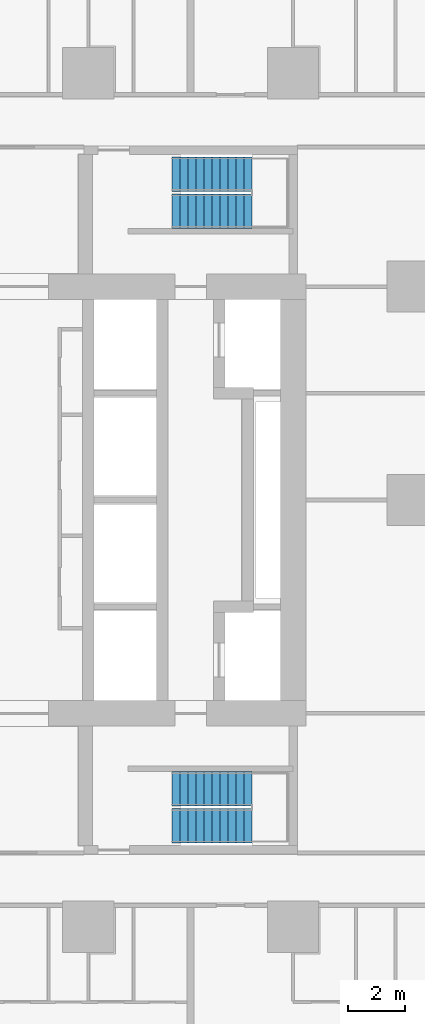
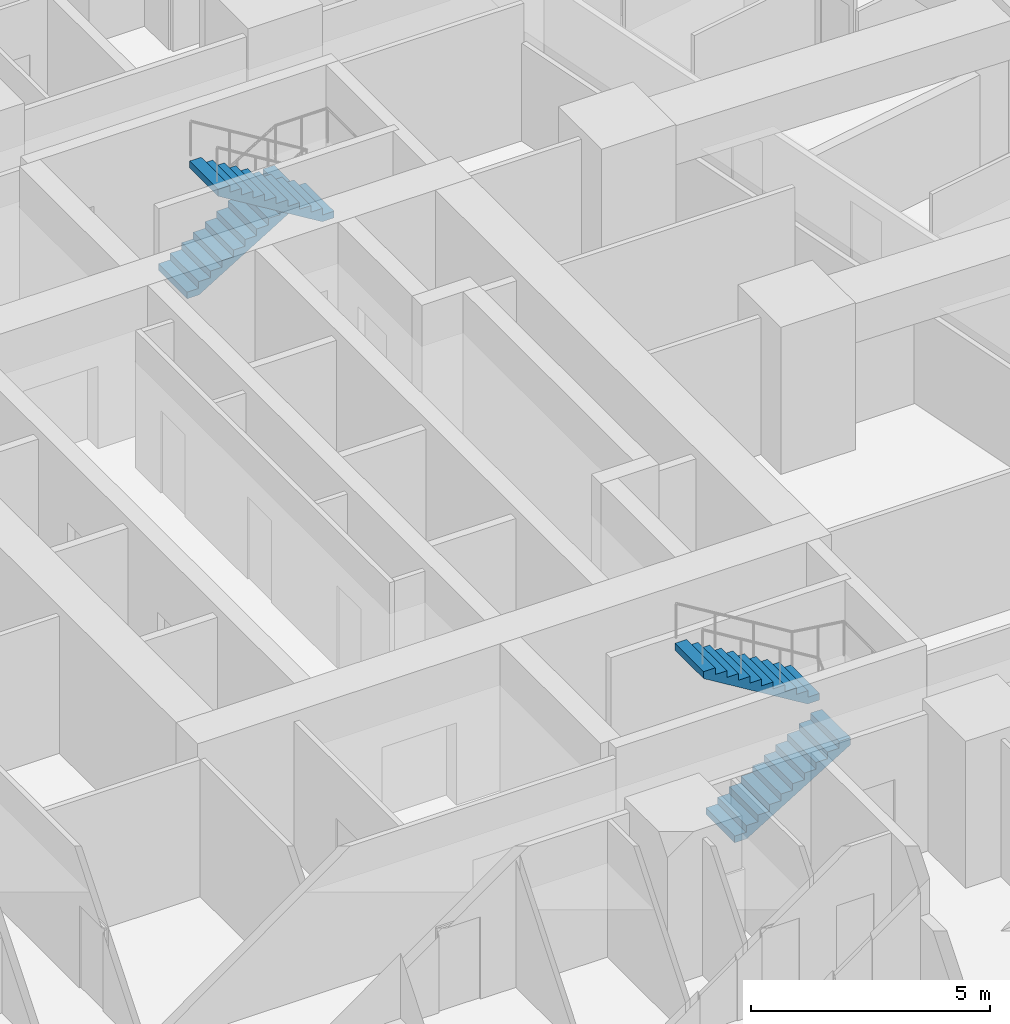
# One storey, part 15 of 18: 4 stair flights, 2 elements without a shape of their own.
"""IFC4 building model written with IfcOpenShell, lengths in metres."""

from ifc_helpers import new_model, si_unit, direction, frame, origin, place, context, subcontext, project, spatial, triangles, material, type_object, element, aggregate, save


model = new_model("IFC4")

# Units and contexts
model_context = context("Model", 3, precision=1e-05, world=origin(), true_north=direction((0.0, 1.0)))
body_context = subcontext(model_context, "Body", "Model", "MODEL_VIEW")
ifc_project = project(units=[si_unit("LENGTHUNIT", "METRE"), si_unit("AREAUNIT", "SQUARE_METRE"), si_unit("VOLUMEUNIT", "CUBIC_METRE"), si_unit("PLANEANGLEUNIT", "RADIAN"), si_unit("MASSUNIT", "GRAM", prefix="KILO")], contexts=[model_context])

# Site, building, storey
site_placement = place(None, origin())
site = spatial("IfcSite", under=ifc_project, at=site_placement, CompositionType="ELEMENT")
building_placement = place(site_placement, origin())
building = spatial("IfcBuilding", under=site, at=building_placement, Name="Sheger Commons Tower", CompositionType="ELEMENT")
storey_placement = place(building_placement, frame((0.0, 0.0, 38.75)))
storey = spatial("IfcBuildingStorey", under=building, at=storey_placement, Name="L09", CompositionType="ELEMENT", Elevation=38.75)

# Stair, stair flights
ifc_material_1 = material(Name="Concrete C35/45", Category="concrete")
stair_type = type_object("IfcStairType", Name="HALF-TURN STAIR 1200 RISE 3750", PredefinedType="HALF_TURN_STAIR", material=ifc_material_1)
stair_1_placement = place(storey_placement, origin())
stair_1 = element("IfcStair", 1, at=stair_1_placement, inside=storey, type_object=stair_type, Name="Stair S1 L09", PredefinedType="HALF_TURN_STAIR")
ifc_material_2 = material(Name="Concrete C35/45", Category="concrete")
stair_flight_type = type_object("IfcStairFlightType", Name="STAIR FLIGHT 1200 11 RISERS OF 170", PredefinedType="STRAIGHT", material=ifc_material_2)
stair_flight_1_placement = place(storey_placement, frame((24.550048828125, 11.050048828125, 0.0), z_axis=(0.0, 0.0, 1.0), x_axis=(1.0, 0.0, 0.0)))
stair_flight_1 = element("IfcStairFlight", 2, at=stair_flight_1_placement, type_object=stair_flight_type, Name="S1 flight 1", NumberOfRisers=11, NumberOfTreads=10, PredefinedType="STRAIGHT", RiserHeight=0.170454545, TreadLength=0.28, context=body_context, shape_type="Tessellation", body=[
    triangles([(0.0, 0.5999755859375, 0.0), (0.0, 0.5999755859375, 0.17041015625), (0.280029296875, 0.5999755859375, 0.17041015625), (0.280029296875, 0.5999755859375, 0.3408203125), (0.56005859375, 0.5999755859375, 0.3408203125), (0.56005859375, 0.5999755859375, 0.511474609375), (0.840087890625, 0.5999755859375, 0.511474609375), (0.840087890625, 0.5999755859375, 0.681884765625), (1.1201171875, 0.5999755859375, 0.681884765625), (1.1201171875, 0.5999755859375, 0.852294921875), (1.39990234375, 0.5999755859375, 0.852294921875), (1.39990234375, 0.5999755859375, 1.022705078125), (1.679931640625, 0.5999755859375, 1.022705078125), (1.679931640625, 0.5999755859375, 1.193115234375), (1.9599609375, 0.5999755859375, 1.193115234375), (1.9599609375, 0.5999755859375, 1.363525390625), (2.239990234375, 0.5999755859375, 1.363525390625), (2.239990234375, 0.5999755859375, 1.5341796875), (2.52001953125, 0.5999755859375, 1.5341796875), (2.52001953125, 0.5999755859375, 1.70458984375), (2.800048828125, 0.5999755859375, 1.70458984375), (2.800048828125, 0.5999755859375, 1.529052734375), (0.288330078125, 0.5999755859375, 0.0), (0.0, -0.5999755859375, 0.0), (0.0, -0.5999755859375, 0.17041015625), (0.280029296875, -0.5999755859375, 0.17041015625), (0.280029296875, -0.5999755859375, 0.3408203125), (0.56005859375, -0.5999755859375, 0.3408203125), (0.56005859375, -0.5999755859375, 0.511474609375), (0.840087890625, -0.5999755859375, 0.511474609375), (0.840087890625, -0.5999755859375, 0.681884765625), (1.1201171875, -0.5999755859375, 0.681884765625), (1.1201171875, -0.5999755859375, 0.852294921875), (1.39990234375, -0.5999755859375, 0.852294921875), (1.39990234375, -0.5999755859375, 1.022705078125), (1.679931640625, -0.5999755859375, 1.022705078125), (1.679931640625, -0.5999755859375, 1.193115234375), (1.9599609375, -0.5999755859375, 1.193115234375), (1.9599609375, -0.5999755859375, 1.363525390625), (2.239990234375, -0.5999755859375, 1.363525390625), (2.239990234375, -0.5999755859375, 1.5341796875), (2.52001953125, -0.5999755859375, 1.5341796875), (2.52001953125, -0.5999755859375, 1.70458984375), (2.800048828125, -0.5999755859375, 1.70458984375), (2.800048828125, -0.5999755859375, 1.529052734375), (0.288330078125, -0.5999755859375, 0.0), (0.0, 0.0, 0.085205078125), (0.1400146484375, 0.0, 0.17041015625), (0.280029296875, 0.0, 0.255615234375), (0.4200439453125, 0.0, 0.3408203125), (0.56005859375, 0.0, 0.4261474609375), (0.7000732421875, 0.0, 0.511474609375), (0.840087890625, 0.0, 0.5966796875), (0.9801025390625, 0.0, 0.681884765625), (1.1201171875, 0.0, 0.76708984375), (1.260009765625, 0.0, 0.852294921875), (1.39990234375, 0.0, 0.9375), (1.5399169921875, 0.0, 1.022705078125), (1.679931640625, 0.0, 1.10791015625), (1.8199462890625, 0.0, 1.193115234375), (1.9599609375, 0.0, 1.2783203125), (2.0999755859375, 0.0, 1.363525390625), (2.239990234375, 0.0, 1.4488525390625), (2.3800048828125, 0.0, 1.5341796875), (2.52001953125, 0.0, 1.619384765625), (2.6600341796875, 0.0, 1.70458984375), (2.800048828125, 0.0, 1.6168212890625), (1.544189453125, 0.0, 0.7645263671875), (0.1441650390625, 0.0, 0.0)], [[1, 22, 23], [24, 46, 45], [22, 20, 21], [45, 44, 43], [22, 19, 20], [45, 43, 42], [22, 18, 19], [45, 42, 41], [22, 17, 18], [45, 41, 40], [17, 15, 16], [40, 39, 38], [22, 15, 17], [45, 40, 38], [15, 13, 14], [38, 37, 36], [22, 13, 15], [45, 38, 36], [13, 11, 12], [36, 35, 34], [22, 11, 13], [45, 36, 34], [11, 9, 10], [34, 33, 32], [22, 9, 11], [45, 34, 32], [9, 7, 8], [32, 31, 30], [22, 7, 9], [45, 32, 30], [7, 5, 6], [30, 29, 28], [22, 5, 7], [45, 30, 28], [5, 3, 4], [28, 27, 26], [22, 3, 5], [45, 28, 26], [1, 3, 22], [24, 45, 26], [3, 1, 2], [26, 25, 24], [1, 47, 2], [2, 47, 25], [25, 47, 24], [24, 47, 1], [2, 48, 3], [3, 48, 26], [26, 48, 25], [25, 48, 2], [3, 49, 4], [4, 49, 27], [27, 49, 26], [26, 49, 3], [4, 50, 5], [5, 50, 28], [28, 50, 27], [27, 50, 4], [5, 51, 6], [6, 51, 29], [29, 51, 28], [28, 51, 5], [6, 52, 7], [7, 52, 30], [30, 52, 29], [29, 52, 6], [7, 53, 8], [8, 53, 31], [31, 53, 30], [30, 53, 7], [8, 54, 9], [9, 54, 32], [32, 54, 31], [31, 54, 8], [9, 55, 10], [10, 55, 33], [33, 55, 32], [32, 55, 9], [10, 56, 11], [11, 56, 34], [34, 56, 33], [33, 56, 10], [11, 57, 12], [12, 57, 35], [35, 57, 34], [34, 57, 11], [12, 58, 13], [13, 58, 36], [36, 58, 35], [35, 58, 12], [13, 59, 14], [14, 59, 37], [37, 59, 36], [36, 59, 13], [14, 60, 15], [15, 60, 38], [38, 60, 37], [37, 60, 14], [15, 61, 16], [16, 61, 39], [39, 61, 38], [38, 61, 15], [16, 62, 17], [17, 62, 40], [40, 62, 39], [39, 62, 16], [17, 63, 18], [18, 63, 41], [41, 63, 40], [40, 63, 17], [18, 64, 19], [19, 64, 42], [42, 64, 41], [41, 64, 18], [19, 65, 20], [20, 65, 43], [43, 65, 42], [42, 65, 19], [20, 66, 21], [21, 66, 44], [44, 66, 43], [43, 66, 20], [21, 67, 22], [22, 67, 45], [45, 67, 44], [44, 67, 21], [22, 68, 23], [23, 68, 46], [46, 68, 45], [45, 68, 22], [23, 69, 1], [1, 69, 24], [24, 69, 46], [46, 69, 23]], closed=True),
])
stair_flight_2_placement = place(storey_placement, frame((27.35009765625, 12.35009765625, 1.875), z_axis=(0.0, 0.0, 1.0), x_axis=(-1.0, 0.0, 0.0)))
stair_flight_2 = element("IfcStairFlight", 3, at=stair_flight_2_placement, type_object=stair_flight_type, Name="S1 flight 2", NumberOfRisers=11, NumberOfTreads=10, PredefinedType="STRAIGHT", RiserHeight=0.170454545, TreadLength=0.28, context=body_context, shape_type="Tessellation", body=[
    triangles([(0.0, 0.5999755859375, 0.0), (0.0, 0.5999755859375, 0.17041015625), (0.280029296875, 0.5999755859375, 0.17041015625), (0.280029296875, 0.5999755859375, 0.3408203125), (0.56005859375, 0.5999755859375, 0.3408203125), (0.56005859375, 0.5999755859375, 0.511474609375), (0.840087890625, 0.5999755859375, 0.511474609375), (0.840087890625, 0.5999755859375, 0.681884765625), (1.1201171875, 0.5999755859375, 0.681884765625), (1.1201171875, 0.5999755859375, 0.852294921875), (1.39990234375, 0.5999755859375, 0.852294921875), (1.39990234375, 0.5999755859375, 1.022705078125), (1.679931640625, 0.5999755859375, 1.022705078125), (1.679931640625, 0.5999755859375, 1.193115234375), (1.9599609375, 0.5999755859375, 1.193115234375), (1.9599609375, 0.5999755859375, 1.363525390625), (2.239990234375, 0.5999755859375, 1.363525390625), (2.239990234375, 0.5999755859375, 1.5341796875), (2.52001953125, 0.5999755859375, 1.5341796875), (2.52001953125, 0.5999755859375, 1.70458984375), (2.800048828125, 0.5999755859375, 1.70458984375), (2.800048828125, 0.5999755859375, 1.529052734375), (0.288330078125, 0.5999755859375, 0.0), (0.0, -0.5999755859375, 0.0), (0.0, -0.5999755859375, 0.17041015625), (0.280029296875, -0.5999755859375, 0.17041015625), (0.280029296875, -0.5999755859375, 0.3408203125), (0.56005859375, -0.5999755859375, 0.3408203125), (0.56005859375, -0.5999755859375, 0.511474609375), (0.840087890625, -0.5999755859375, 0.511474609375), (0.840087890625, -0.5999755859375, 0.681884765625), (1.1201171875, -0.5999755859375, 0.681884765625), (1.1201171875, -0.5999755859375, 0.852294921875), (1.39990234375, -0.5999755859375, 0.852294921875), (1.39990234375, -0.5999755859375, 1.022705078125), (1.679931640625, -0.5999755859375, 1.022705078125), (1.679931640625, -0.5999755859375, 1.193115234375), (1.9599609375, -0.5999755859375, 1.193115234375), (1.9599609375, -0.5999755859375, 1.363525390625), (2.239990234375, -0.5999755859375, 1.363525390625), (2.239990234375, -0.5999755859375, 1.5341796875), (2.52001953125, -0.5999755859375, 1.5341796875), (2.52001953125, -0.5999755859375, 1.70458984375), (2.800048828125, -0.5999755859375, 1.70458984375), (2.800048828125, -0.5999755859375, 1.529052734375), (0.288330078125, -0.5999755859375, 0.0), (0.0, 0.0, 0.085205078125), (0.1400146484375, 0.0, 0.17041015625), (0.280029296875, 0.0, 0.255615234375), (0.4200439453125, 0.0, 0.3408203125), (0.56005859375, 0.0, 0.4261474609375), (0.7000732421875, 0.0, 0.511474609375), (0.840087890625, 0.0, 0.5966796875), (0.9801025390625, 0.0, 0.681884765625), (1.1201171875, 0.0, 0.76708984375), (1.260009765625, 0.0, 0.852294921875), (1.39990234375, 0.0, 0.9375), (1.5399169921875, 0.0, 1.022705078125), (1.679931640625, 0.0, 1.10791015625), (1.8199462890625, 0.0, 1.193115234375), (1.9599609375, 0.0, 1.2783203125), (2.0999755859375, 0.0, 1.363525390625), (2.239990234375, 0.0, 1.4488525390625), (2.3800048828125, 0.0, 1.5341796875), (2.52001953125, 0.0, 1.619384765625), (2.6600341796875, 0.0, 1.70458984375), (2.800048828125, 0.0, 1.6168212890625), (1.544189453125, 0.0, 0.7645263671875), (0.1441650390625, 0.0, 0.0)], [[1, 22, 23], [24, 46, 45], [22, 20, 21], [45, 44, 43], [22, 19, 20], [45, 43, 42], [22, 18, 19], [45, 42, 41], [22, 17, 18], [45, 41, 40], [17, 15, 16], [40, 39, 38], [22, 15, 17], [45, 40, 38], [15, 13, 14], [38, 37, 36], [22, 13, 15], [45, 38, 36], [13, 11, 12], [36, 35, 34], [22, 11, 13], [45, 36, 34], [11, 9, 10], [34, 33, 32], [22, 9, 11], [45, 34, 32], [9, 7, 8], [32, 31, 30], [22, 7, 9], [45, 32, 30], [7, 5, 6], [30, 29, 28], [22, 5, 7], [45, 30, 28], [5, 3, 4], [28, 27, 26], [22, 3, 5], [45, 28, 26], [1, 3, 22], [24, 45, 26], [3, 1, 2], [26, 25, 24], [1, 47, 2], [2, 47, 25], [25, 47, 24], [24, 47, 1], [2, 48, 3], [3, 48, 26], [26, 48, 25], [25, 48, 2], [3, 49, 4], [4, 49, 27], [27, 49, 26], [26, 49, 3], [4, 50, 5], [5, 50, 28], [28, 50, 27], [27, 50, 4], [5, 51, 6], [6, 51, 29], [29, 51, 28], [28, 51, 5], [6, 52, 7], [7, 52, 30], [30, 52, 29], [29, 52, 6], [7, 53, 8], [8, 53, 31], [31, 53, 30], [30, 53, 7], [8, 54, 9], [9, 54, 32], [32, 54, 31], [31, 54, 8], [9, 55, 10], [10, 55, 33], [33, 55, 32], [32, 55, 9], [10, 56, 11], [11, 56, 34], [34, 56, 33], [33, 56, 10], [11, 57, 12], [12, 57, 35], [35, 57, 34], [34, 57, 11], [12, 58, 13], [13, 58, 36], [36, 58, 35], [35, 58, 12], [13, 59, 14], [14, 59, 37], [37, 59, 36], [36, 59, 13], [14, 60, 15], [15, 60, 38], [38, 60, 37], [37, 60, 14], [15, 61, 16], [16, 61, 39], [39, 61, 38], [38, 61, 15], [16, 62, 17], [17, 62, 40], [40, 62, 39], [39, 62, 16], [17, 63, 18], [18, 63, 41], [41, 63, 40], [40, 63, 17], [18, 64, 19], [19, 64, 42], [42, 64, 41], [41, 64, 18], [19, 65, 20], [20, 65, 43], [43, 65, 42], [42, 65, 19], [20, 66, 21], [21, 66, 44], [44, 66, 43], [43, 66, 20], [21, 67, 22], [22, 67, 45], [45, 67, 44], [44, 67, 21], [22, 68, 23], [23, 68, 46], [46, 68, 45], [45, 68, 22], [23, 69, 1], [1, 69, 24], [24, 69, 46], [46, 69, 23]], closed=True),
])
aggregate(stair_1, [stair_flight_1, stair_flight_2])

stair_2_placement = place(storey_placement, origin())
stair_2 = element("IfcStair", 4, at=stair_2_placement, inside=storey, type_object=stair_type, Name="Stair S2 L09", PredefinedType="HALF_TURN_STAIR")
stair_flight_3_placement = place(storey_placement, frame((24.550048828125, 33.949951171875, 0.0), z_axis=(0.0, 0.0, 1.0), x_axis=(1.0, 0.0, 0.0)))
stair_flight_3 = element("IfcStairFlight", 5, at=stair_flight_3_placement, type_object=stair_flight_type, Name="S2 flight 1", NumberOfRisers=11, NumberOfTreads=10, PredefinedType="STRAIGHT", RiserHeight=0.170454545, TreadLength=0.28, context=body_context, shape_type="Tessellation", body=[
    triangles([(0.0, 0.5999755859375, 0.0), (0.0, 0.5999755859375, 0.17041015625), (0.280029296875, 0.5999755859375, 0.17041015625), (0.280029296875, 0.5999755859375, 0.3408203125), (0.56005859375, 0.5999755859375, 0.3408203125), (0.56005859375, 0.5999755859375, 0.511474609375), (0.840087890625, 0.5999755859375, 0.511474609375), (0.840087890625, 0.5999755859375, 0.681884765625), (1.1201171875, 0.5999755859375, 0.681884765625), (1.1201171875, 0.5999755859375, 0.852294921875), (1.39990234375, 0.5999755859375, 0.852294921875), (1.39990234375, 0.5999755859375, 1.022705078125), (1.679931640625, 0.5999755859375, 1.022705078125), (1.679931640625, 0.5999755859375, 1.193115234375), (1.9599609375, 0.5999755859375, 1.193115234375), (1.9599609375, 0.5999755859375, 1.363525390625), (2.239990234375, 0.5999755859375, 1.363525390625), (2.239990234375, 0.5999755859375, 1.5341796875), (2.52001953125, 0.5999755859375, 1.5341796875), (2.52001953125, 0.5999755859375, 1.70458984375), (2.800048828125, 0.5999755859375, 1.70458984375), (2.800048828125, 0.5999755859375, 1.529052734375), (0.288330078125, 0.5999755859375, 0.0), (0.0, -0.5999755859375, 0.0), (0.0, -0.5999755859375, 0.17041015625), (0.280029296875, -0.5999755859375, 0.17041015625), (0.280029296875, -0.5999755859375, 0.3408203125), (0.56005859375, -0.5999755859375, 0.3408203125), (0.56005859375, -0.5999755859375, 0.511474609375), (0.840087890625, -0.5999755859375, 0.511474609375), (0.840087890625, -0.5999755859375, 0.681884765625), (1.1201171875, -0.5999755859375, 0.681884765625), (1.1201171875, -0.5999755859375, 0.852294921875), (1.39990234375, -0.5999755859375, 0.852294921875), (1.39990234375, -0.5999755859375, 1.022705078125), (1.679931640625, -0.5999755859375, 1.022705078125), (1.679931640625, -0.5999755859375, 1.193115234375), (1.9599609375, -0.5999755859375, 1.193115234375), (1.9599609375, -0.5999755859375, 1.363525390625), (2.239990234375, -0.5999755859375, 1.363525390625), (2.239990234375, -0.5999755859375, 1.5341796875), (2.52001953125, -0.5999755859375, 1.5341796875), (2.52001953125, -0.5999755859375, 1.70458984375), (2.800048828125, -0.5999755859375, 1.70458984375), (2.800048828125, -0.5999755859375, 1.529052734375), (0.288330078125, -0.5999755859375, 0.0), (0.0, 0.0, 0.085205078125), (0.1400146484375, 0.0, 0.17041015625), (0.280029296875, 0.0, 0.255615234375), (0.4200439453125, 0.0, 0.3408203125), (0.56005859375, 0.0, 0.4261474609375), (0.7000732421875, 0.0, 0.511474609375), (0.840087890625, 0.0, 0.5966796875), (0.9801025390625, 0.0, 0.681884765625), (1.1201171875, 0.0, 0.76708984375), (1.260009765625, 0.0, 0.852294921875), (1.39990234375, 0.0, 0.9375), (1.5399169921875, 0.0, 1.022705078125), (1.679931640625, 0.0, 1.10791015625), (1.8199462890625, 0.0, 1.193115234375), (1.9599609375, 0.0, 1.2783203125), (2.0999755859375, 0.0, 1.363525390625), (2.239990234375, 0.0, 1.4488525390625), (2.3800048828125, 0.0, 1.5341796875), (2.52001953125, 0.0, 1.619384765625), (2.6600341796875, 0.0, 1.70458984375), (2.800048828125, 0.0, 1.6168212890625), (1.544189453125, 0.0, 0.7645263671875), (0.1441650390625, 0.0, 0.0)], [[1, 22, 23], [24, 46, 45], [22, 20, 21], [45, 44, 43], [22, 19, 20], [45, 43, 42], [22, 18, 19], [45, 42, 41], [22, 17, 18], [45, 41, 40], [17, 15, 16], [40, 39, 38], [22, 15, 17], [45, 40, 38], [15, 13, 14], [38, 37, 36], [22, 13, 15], [45, 38, 36], [13, 11, 12], [36, 35, 34], [22, 11, 13], [45, 36, 34], [11, 9, 10], [34, 33, 32], [22, 9, 11], [45, 34, 32], [9, 7, 8], [32, 31, 30], [22, 7, 9], [45, 32, 30], [7, 5, 6], [30, 29, 28], [22, 5, 7], [45, 30, 28], [5, 3, 4], [28, 27, 26], [22, 3, 5], [45, 28, 26], [1, 3, 22], [24, 45, 26], [3, 1, 2], [26, 25, 24], [1, 47, 2], [2, 47, 25], [25, 47, 24], [24, 47, 1], [2, 48, 3], [3, 48, 26], [26, 48, 25], [25, 48, 2], [3, 49, 4], [4, 49, 27], [27, 49, 26], [26, 49, 3], [4, 50, 5], [5, 50, 28], [28, 50, 27], [27, 50, 4], [5, 51, 6], [6, 51, 29], [29, 51, 28], [28, 51, 5], [6, 52, 7], [7, 52, 30], [30, 52, 29], [29, 52, 6], [7, 53, 8], [8, 53, 31], [31, 53, 30], [30, 53, 7], [8, 54, 9], [9, 54, 32], [32, 54, 31], [31, 54, 8], [9, 55, 10], [10, 55, 33], [33, 55, 32], [32, 55, 9], [10, 56, 11], [11, 56, 34], [34, 56, 33], [33, 56, 10], [11, 57, 12], [12, 57, 35], [35, 57, 34], [34, 57, 11], [12, 58, 13], [13, 58, 36], [36, 58, 35], [35, 58, 12], [13, 59, 14], [14, 59, 37], [37, 59, 36], [36, 59, 13], [14, 60, 15], [15, 60, 38], [38, 60, 37], [37, 60, 14], [15, 61, 16], [16, 61, 39], [39, 61, 38], [38, 61, 15], [16, 62, 17], [17, 62, 40], [40, 62, 39], [39, 62, 16], [17, 63, 18], [18, 63, 41], [41, 63, 40], [40, 63, 17], [18, 64, 19], [19, 64, 42], [42, 64, 41], [41, 64, 18], [19, 65, 20], [20, 65, 43], [43, 65, 42], [42, 65, 19], [20, 66, 21], [21, 66, 44], [44, 66, 43], [43, 66, 20], [21, 67, 22], [22, 67, 45], [45, 67, 44], [44, 67, 21], [22, 68, 23], [23, 68, 46], [46, 68, 45], [45, 68, 22], [23, 69, 1], [1, 69, 24], [24, 69, 46], [46, 69, 23]], closed=True),
])
stair_flight_4_placement = place(storey_placement, frame((27.35009765625, 32.64990234375, 1.875), z_axis=(0.0, 0.0, 1.0), x_axis=(-1.0, 0.0, 0.0)))
stair_flight_4 = element("IfcStairFlight", 6, at=stair_flight_4_placement, type_object=stair_flight_type, Name="S2 flight 2", NumberOfRisers=11, NumberOfTreads=10, PredefinedType="STRAIGHT", RiserHeight=0.170454545, TreadLength=0.28, context=body_context, shape_type="Tessellation", body=[
    triangles([(0.0, 0.5999755859375, 0.0), (0.0, 0.5999755859375, 0.17041015625), (0.280029296875, 0.5999755859375, 0.17041015625), (0.280029296875, 0.5999755859375, 0.3408203125), (0.56005859375, 0.5999755859375, 0.3408203125), (0.56005859375, 0.5999755859375, 0.511474609375), (0.840087890625, 0.5999755859375, 0.511474609375), (0.840087890625, 0.5999755859375, 0.681884765625), (1.1201171875, 0.5999755859375, 0.681884765625), (1.1201171875, 0.5999755859375, 0.852294921875), (1.39990234375, 0.5999755859375, 0.852294921875), (1.39990234375, 0.5999755859375, 1.022705078125), (1.679931640625, 0.5999755859375, 1.022705078125), (1.679931640625, 0.5999755859375, 1.193115234375), (1.9599609375, 0.5999755859375, 1.193115234375), (1.9599609375, 0.5999755859375, 1.363525390625), (2.239990234375, 0.5999755859375, 1.363525390625), (2.239990234375, 0.5999755859375, 1.5341796875), (2.52001953125, 0.5999755859375, 1.5341796875), (2.52001953125, 0.5999755859375, 1.70458984375), (2.800048828125, 0.5999755859375, 1.70458984375), (2.800048828125, 0.5999755859375, 1.529052734375), (0.288330078125, 0.5999755859375, 0.0), (0.0, -0.5999755859375, 0.0), (0.0, -0.5999755859375, 0.17041015625), (0.280029296875, -0.5999755859375, 0.17041015625), (0.280029296875, -0.5999755859375, 0.3408203125), (0.56005859375, -0.5999755859375, 0.3408203125), (0.56005859375, -0.5999755859375, 0.511474609375), (0.840087890625, -0.5999755859375, 0.511474609375), (0.840087890625, -0.5999755859375, 0.681884765625), (1.1201171875, -0.5999755859375, 0.681884765625), (1.1201171875, -0.5999755859375, 0.852294921875), (1.39990234375, -0.5999755859375, 0.852294921875), (1.39990234375, -0.5999755859375, 1.022705078125), (1.679931640625, -0.5999755859375, 1.022705078125), (1.679931640625, -0.5999755859375, 1.193115234375), (1.9599609375, -0.5999755859375, 1.193115234375), (1.9599609375, -0.5999755859375, 1.363525390625), (2.239990234375, -0.5999755859375, 1.363525390625), (2.239990234375, -0.5999755859375, 1.5341796875), (2.52001953125, -0.5999755859375, 1.5341796875), (2.52001953125, -0.5999755859375, 1.70458984375), (2.800048828125, -0.5999755859375, 1.70458984375), (2.800048828125, -0.5999755859375, 1.529052734375), (0.288330078125, -0.5999755859375, 0.0), (0.0, 0.0, 0.085205078125), (0.1400146484375, 0.0, 0.17041015625), (0.280029296875, 0.0, 0.255615234375), (0.4200439453125, 0.0, 0.3408203125), (0.56005859375, 0.0, 0.4261474609375), (0.7000732421875, 0.0, 0.511474609375), (0.840087890625, 0.0, 0.5966796875), (0.9801025390625, 0.0, 0.681884765625), (1.1201171875, 0.0, 0.76708984375), (1.260009765625, 0.0, 0.852294921875), (1.39990234375, 0.0, 0.9375), (1.5399169921875, 0.0, 1.022705078125), (1.679931640625, 0.0, 1.10791015625), (1.8199462890625, 0.0, 1.193115234375), (1.9599609375, 0.0, 1.2783203125), (2.0999755859375, 0.0, 1.363525390625), (2.239990234375, 0.0, 1.4488525390625), (2.3800048828125, 0.0, 1.5341796875), (2.52001953125, 0.0, 1.619384765625), (2.6600341796875, 0.0, 1.70458984375), (2.800048828125, 0.0, 1.6168212890625), (1.544189453125, 0.0, 0.7645263671875), (0.1441650390625, 0.0, 0.0)], [[1, 22, 23], [24, 46, 45], [22, 20, 21], [45, 44, 43], [22, 19, 20], [45, 43, 42], [22, 18, 19], [45, 42, 41], [22, 17, 18], [45, 41, 40], [17, 15, 16], [40, 39, 38], [22, 15, 17], [45, 40, 38], [15, 13, 14], [38, 37, 36], [22, 13, 15], [45, 38, 36], [13, 11, 12], [36, 35, 34], [22, 11, 13], [45, 36, 34], [11, 9, 10], [34, 33, 32], [22, 9, 11], [45, 34, 32], [9, 7, 8], [32, 31, 30], [22, 7, 9], [45, 32, 30], [7, 5, 6], [30, 29, 28], [22, 5, 7], [45, 30, 28], [5, 3, 4], [28, 27, 26], [22, 3, 5], [45, 28, 26], [1, 3, 22], [24, 45, 26], [3, 1, 2], [26, 25, 24], [1, 47, 2], [2, 47, 25], [25, 47, 24], [24, 47, 1], [2, 48, 3], [3, 48, 26], [26, 48, 25], [25, 48, 2], [3, 49, 4], [4, 49, 27], [27, 49, 26], [26, 49, 3], [4, 50, 5], [5, 50, 28], [28, 50, 27], [27, 50, 4], [5, 51, 6], [6, 51, 29], [29, 51, 28], [28, 51, 5], [6, 52, 7], [7, 52, 30], [30, 52, 29], [29, 52, 6], [7, 53, 8], [8, 53, 31], [31, 53, 30], [30, 53, 7], [8, 54, 9], [9, 54, 32], [32, 54, 31], [31, 54, 8], [9, 55, 10], [10, 55, 33], [33, 55, 32], [32, 55, 9], [10, 56, 11], [11, 56, 34], [34, 56, 33], [33, 56, 10], [11, 57, 12], [12, 57, 35], [35, 57, 34], [34, 57, 11], [12, 58, 13], [13, 58, 36], [36, 58, 35], [35, 58, 12], [13, 59, 14], [14, 59, 37], [37, 59, 36], [36, 59, 13], [14, 60, 15], [15, 60, 38], [38, 60, 37], [37, 60, 14], [15, 61, 16], [16, 61, 39], [39, 61, 38], [38, 61, 15], [16, 62, 17], [17, 62, 40], [40, 62, 39], [39, 62, 16], [17, 63, 18], [18, 63, 41], [41, 63, 40], [40, 63, 17], [18, 64, 19], [19, 64, 42], [42, 64, 41], [41, 64, 18], [19, 65, 20], [20, 65, 43], [43, 65, 42], [42, 65, 19], [20, 66, 21], [21, 66, 44], [44, 66, 43], [43, 66, 20], [21, 67, 22], [22, 67, 45], [45, 67, 44], [44, 67, 21], [22, 68, 23], [23, 68, 46], [46, 68, 45], [45, 68, 22], [23, 69, 1], [1, 69, 24], [24, 69, 46], [46, 69, 23]], closed=True),
])
aggregate(stair_2, [stair_flight_3, stair_flight_4])

save(model, "model.ifc")
